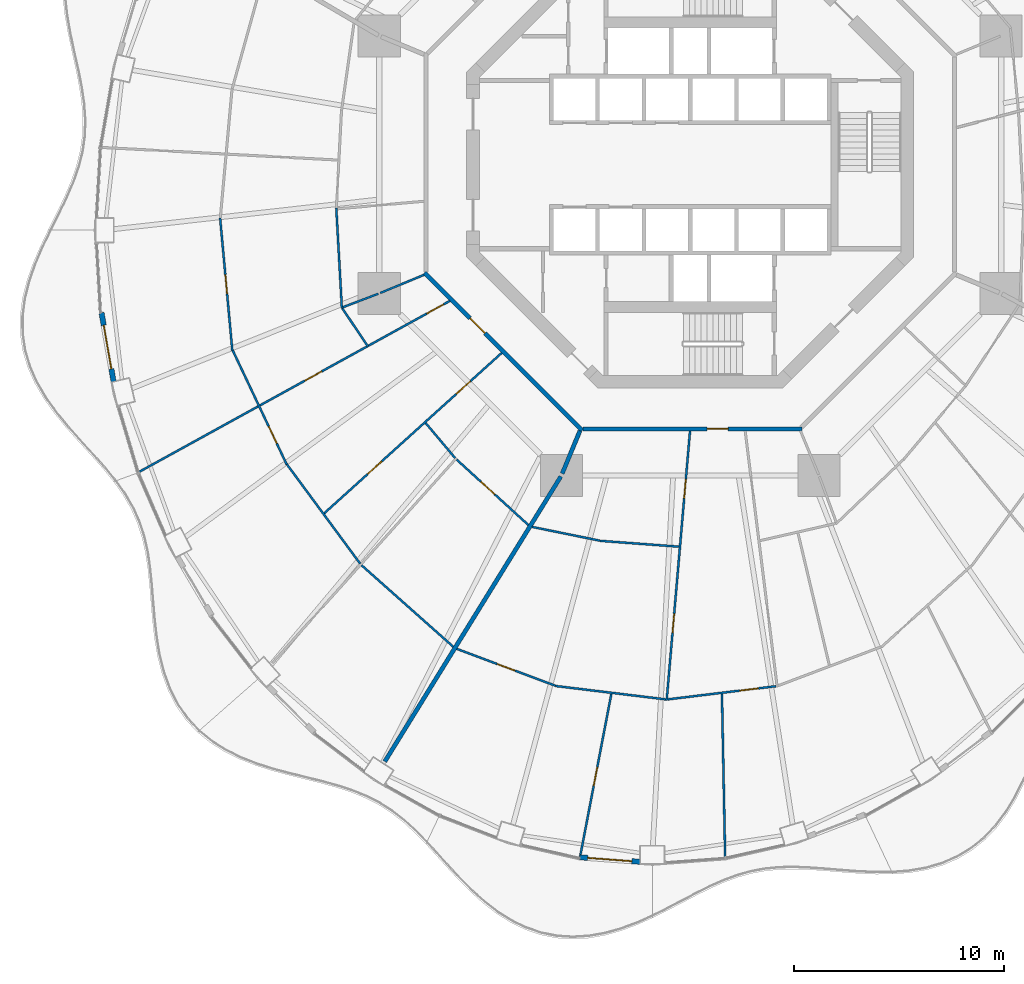
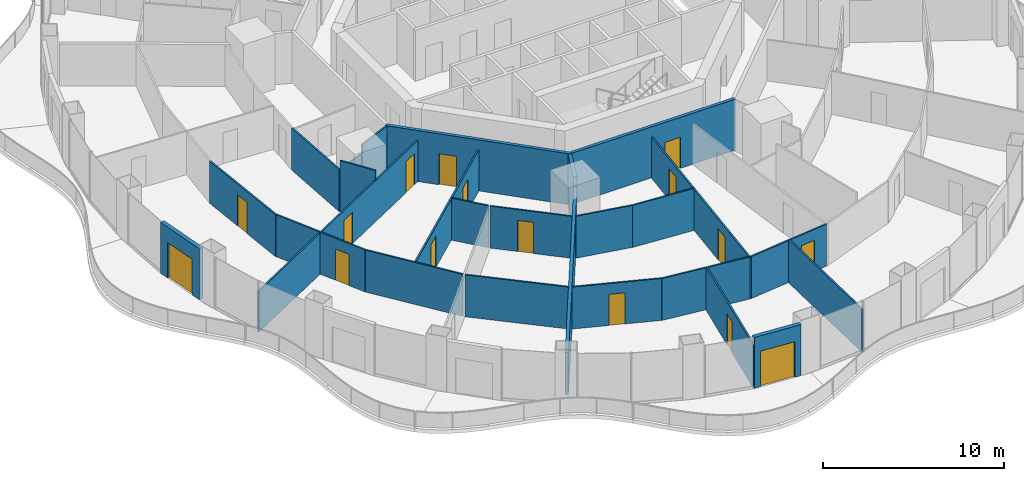
# One storey, part 12 of 20: 26 walls, 16 doors, 16 openings.
"""IFC4 building model written with IfcOpenShell, lengths in metres."""

from ifc_helpers import new_model, si_unit, direction, frame, frame_2d, origin, place, context, subcontext, project, spatial, rectangle, extrude, material, layer, layer_set, type_object, element, fill, save


model = new_model("IFC4")

# Units and contexts
model_context = context("Model", 3, precision=1e-05, world=origin(), true_north=direction((0.0, 1.0)))
body_context = subcontext(model_context, "Body", "Model", "MODEL_VIEW")
ifc_project = project(units=[si_unit("LENGTHUNIT", "METRE"), si_unit("AREAUNIT", "SQUARE_METRE"), si_unit("VOLUMEUNIT", "CUBIC_METRE"), si_unit("PLANEANGLEUNIT", "RADIAN"), si_unit("MASSUNIT", "GRAM", prefix="KILO")], contexts=[model_context])

# Site, building, storey
site_placement = place(None, origin())
site = spatial("IfcSite", under=ifc_project, at=site_placement, CompositionType="ELEMENT")
building_placement = place(site_placement, origin())
building = spatial("IfcBuilding", under=site, at=building_placement, Name="Nagisa Residences", CompositionType="ELEMENT")
storey_placement = place(building_placement, frame((0.0, 0.0, 141.800048828125)))
storey = spatial("IfcBuildingStorey", under=building, at=storey_placement, Name="L35", CompositionType="ELEMENT", Elevation=141.800048828125)

# Walls
ifc_material_1 = material(Name="Gypsum board on steel studs", Category="steel")
ifc_layer_1 = layer(ifc_material_1, 0.199951171875)
ifc_layer_set_1 = layer_set([ifc_layer_1], Name="Apartment compartment wall EI60 200")
wall_type_1 = type_object("IfcWallType", Name="Apartment compartment wall EI60 200", PredefinedType="PARTITIONING", material=ifc_layer_set_1)
wall_1_placement = place(storey_placement, frame((-5.24267578125, -12.6572265625, 0.0), z_axis=(0.0, 0.0, 1.0), x_axis=(-0.382818775282, -0.923823460025, 0.0)))
element("IfcWall", 1, at=wall_1_placement, inside=storey, type_object=wall_type_1, Name="wall:L35:u04", PredefinedType="PARTITIONING", context=body_context, shape_type="SweptSolid", body=[
    extrude(rectangle(XDim=2.200927734375, YDim=0.199951171875, at=frame_2d((1.1005859375, 0.0))), origin(), (0.0, 0.0, 1.0), 3.43994140625),
])
wall_2_placement = place(storey_placement, frame((-6.149169921875, -14.82470703125, 0.0), z_axis=(0.0, 0.0, 1.0), x_axis=(-0.525406383516, -0.85085141603, 0.0)))
element("IfcWall", 2, at=wall_2_placement, inside=storey, type_object=wall_type_1, Name="wall:L35:u05", PredefinedType="PARTITIONING", context=body_context, shape_type="SweptSolid", body=[
    extrude(rectangle(XDim=15.9248046875, YDim=0.199951171875, at=frame_2d((7.96240234375, 0.0))), origin(), (0.0, 0.0, 1.0), 2.827880859375),
])

# Wall, opening, door
ifc_material_2 = material(Name="Gypsum board on steel studs", Category="steel")
ifc_layer_2 = layer(ifc_material_2, 0.199951171875)
ifc_layer_set_2 = layer_set([ifc_layer_2], Name="Apartment entry wall EI60 200")
wall_type_2 = type_object("IfcWallType", Name="Apartment entry wall EI60 200", PredefinedType="PARTITIONING", material=ifc_layer_set_2)
wall_3_placement = place(storey_placement, frame((-12.635498046875, -5.1337890625, 0.0), z_axis=(0.0, 0.0, 1.0), x_axis=(0.707106781187, -0.707106781187, 0.0)))
wall_3 = element("IfcWall", 3, at=wall_3_placement, inside=storey, type_object=wall_type_2, Name="wall:L35:u13", PredefinedType="PARTITIONING", context=body_context, shape_type="SweptSolid", body=[
    extrude(rectangle(XDim=10.609130859375, YDim=0.199951171875, at=frame_2d((5.3046875, 0.0))), origin(), (0.0, 0.0, 1.0), 3.43994140625),
])
opening_1_placement = place(wall_3_placement, frame((3.069580078125, 0.0, 0.0)))
opening_1 = element("IfcOpeningElement", 4, at=opening_1_placement, cuts=wall_3, Name="Opening L35-U01", PredefinedType="OPENING", context=body_context, shape_type="SweptSolid", body=[
    extrude(rectangle(XDim=1.0, YDim=2.10009765625, at=frame_2d((0.5, 1.050048828125))), frame((0.0, 0.10986328125, 0.0), z_axis=(0.0, -1.0, 0.0), x_axis=(1.0, 0.0, 0.0)), (0.0, 0.0, 1.0), 0.219970703125),
])
ifc_material_3 = material(Name="Timber fire door set", Category="wood")
door_type_1 = type_object("IfcDoorType", Name="Apartment entry door FD30S 1000x2100", OperationType="NOTDEFINED", PredefinedType="DOOR", material=ifc_material_3)
door_1_placement = place(opening_1_placement, frame((1.0, 0.0, 0.0), x_axis=(-1.0, 0.0, 0.0)))
door_1 = element("IfcDoor", 5, at=door_1_placement, inside=storey, type_object=door_type_1, Name="Entry door, Apartment 35A", OperationType="SINGLE_SWING_RIGHT", OverallHeight=2.10009765625, OverallWidth=1.0, PredefinedType="DOOR", context=body_context, shape_type="SweptSolid", body=[
    extrude(rectangle(XDim=1.0, YDim=2.10009765625, at=frame_2d((0.5, 1.050048828125))), frame((0.0, 0.02490234375, 0.0), z_axis=(0.0, -1.0, 0.0), x_axis=(1.0, 0.0, 0.0)), (0.0, 0.0, 1.0), 0.050048828125),
])
fill(opening_1, door_1)

wall_4_placement = place(storey_placement, frame((-5.1044921875, -12.564697265625, 0.0), z_axis=(0.0, 0.0, 1.0), x_axis=(1.0, 0.0, 0.0)))
wall_4 = element("IfcWall", 6, at=wall_4_placement, inside=storey, type_object=wall_type_2, Name="wall:L35:u14", PredefinedType="PARTITIONING", context=body_context, shape_type="SweptSolid", body=[
    extrude(rectangle(XDim=10.408935546875, YDim=0.199951171875, at=frame_2d((5.20458984375, 0.0))), origin(), (0.0, 0.0, 1.0), 3.43994140625),
])
opening_2_placement = place(wall_4_placement, frame((5.905517578125, 0.0, 0.0)))
opening_2 = element("IfcOpeningElement", 7, at=opening_2_placement, cuts=wall_4, Name="Opening L35-U14", PredefinedType="OPENING", context=body_context, shape_type="SweptSolid", body=[
    extrude(rectangle(XDim=1.0, YDim=2.10009765625, at=frame_2d((0.5, 1.050048828125))), frame((0.0, 0.10986328125, 0.0), z_axis=(0.0, -1.0, 0.0), x_axis=(1.0, 0.0, 0.0)), (0.0, 0.0, 1.0), 0.219970703125),
])
door_2_placement = place(opening_2_placement, frame((1.0, 0.0, 0.0), x_axis=(-1.0, 0.0, 0.0)))
door_2 = element("IfcDoor", 8, at=door_2_placement, inside=storey, type_object=door_type_1, Name="Entry door, Apartment 35B", OperationType="SINGLE_SWING_LEFT", OverallHeight=2.10009765625, OverallWidth=1.0, PredefinedType="DOOR", context=body_context, shape_type="SweptSolid", body=[
    extrude(rectangle(XDim=1.0, YDim=2.10009765625, at=frame_2d((0.5, 1.050048828125))), frame((0.0, 0.02490234375, 0.0), z_axis=(0.0, -1.0, 0.0), x_axis=(1.0, 0.0, 0.0)), (0.0, 0.0, 1.0), 0.050048828125),
])
fill(opening_2, door_2)

# Wall
ifc_material_4 = material(Name="Gypsum board on steel studs", Category="steel")
ifc_layer_3 = layer(ifc_material_4, 0.10009765625)
ifc_layer_set_3 = layer_set([ifc_layer_3], Name="Apartment partition 100")
wall_type_3 = type_object("IfcWallType", Name="Apartment partition 100", PredefinedType="PARTITIONING", material=ifc_layer_set_3)
wall_5_placement = place(storey_placement, frame((-16.825439453125, -2.058349609375, 0.0), z_axis=(0.0, 0.0, 1.0), x_axis=(0.055971643802, -0.998432358796, 0.0)))
element("IfcWall", 9, at=wall_5_placement, inside=storey, type_object=wall_type_3, Name="wall:L35:u56", PredefinedType="PARTITIONING", context=body_context, shape_type="SweptSolid", body=[
    extrude(rectangle(XDim=4.798095703125, YDim=0.10009765625, at=frame_2d((2.39892578125, 0.0))), origin(), (0.0, 0.0, 1.0), 2.827880859375),
])

# Wall, opening, door
wall_6_placement = place(storey_placement, frame((-22.346923828125, -2.54248046875, 0.0), z_axis=(0.0, 0.0, 1.0), x_axis=(0.091783634244, -0.995778973711, 0.0)))
wall_6 = element("IfcWall", 10, at=wall_6_placement, inside=storey, type_object=wall_type_3, Name="wall:L35:u57", PredefinedType="PARTITIONING", context=body_context, shape_type="SweptSolid", body=[
    extrude(rectangle(XDim=6.314697265625, YDim=0.10009765625, at=frame_2d((3.1572265625, 0.0))), origin(), (0.0, 0.0, 1.0), 2.827880859375),
])
opening_3_placement = place(wall_6_placement, frame((2.70751953125, 0.0, 0.0)))
opening_3 = element("IfcOpeningElement", 11, at=opening_3_placement, cuts=wall_6, Name="Opening L35-U07", PredefinedType="OPENING", context=body_context, shape_type="SweptSolid", body=[
    extrude(rectangle(XDim=0.89990234375, YDim=2.10009765625, at=frame_2d((0.449951171875, 1.050048828125))), frame((0.0, 0.06005859375, 0.0), z_axis=(0.0, -1.0, 0.0), x_axis=(1.0, 0.0, 0.0)), (0.0, 0.0, 1.0), 0.1201171875),
])
ifc_material_5 = material(Name="Timber door set", Category="wood")
door_type_2 = type_object("IfcDoorType", Name="Apartment door 900x2100", OperationType="NOTDEFINED", PredefinedType="DOOR", material=ifc_material_5)
door_3_placement = place(opening_3_placement, frame((0.89990234375, 0.0, 0.0), x_axis=(-1.0, 0.0, 0.0)))
door_3 = element("IfcDoor", 12, at=door_3_placement, inside=storey, type_object=door_type_2, Name="Door to family room, Apartment 35A", OperationType="SINGLE_SWING_RIGHT", OverallHeight=2.10009765625, OverallWidth=0.89990234375, PredefinedType="DOOR", context=body_context, shape_type="SweptSolid", body=[
    extrude(rectangle(XDim=0.89990234375, YDim=2.10009765625, at=frame_2d((0.449951171875, 1.050048828125))), frame((0.0, 0.02490234375, 0.0), z_axis=(0.0, -1.0, 0.0), x_axis=(1.0, 0.0, 0.0)), (0.0, 0.0, 1.0), 0.050048828125),
])
fill(opening_3, door_3)

# Walls
wall_7_placement = place(storey_placement, frame((-12.6572265625, -5.24267578125, 0.0), z_axis=(0.0, 0.0, 1.0), x_axis=(-0.923864733477, -0.382719158442, 0.0)))
element("IfcWall", 13, at=wall_7_placement, inside=storey, type_object=wall_type_3, Name="wall:L35:u58", PredefinedType="PARTITIONING", context=body_context, shape_type="SweptSolid", body=[
    extrude(rectangle(XDim=2.25, YDim=0.10009765625, at=frame_2d((1.125, 0.0))), origin(), (0.0, 0.0, 1.0), 3.43994140625),
])
wall_8_placement = place(storey_placement, frame((-14.828857421875, -6.140625, 0.0), z_axis=(0.0, 0.0, 1.0), x_axis=(-0.934704367514, -0.355426146128, 0.0)))
element("IfcWall", 14, at=wall_8_placement, inside=storey, type_object=wall_type_3, Name="wall:L35:u59", PredefinedType="PARTITIONING", context=body_context, shape_type="SweptSolid", body=[
    extrude(rectangle(XDim=1.8017578125, YDim=0.10009765625, at=frame_2d((0.90087890625, 0.0))), origin(), (0.0, 0.0, 1.0), 2.827880859375),
])
wall_9_placement = place(storey_placement, frame((-16.53173828125, -6.84033203125, 0.0), z_axis=(0.0, 0.0, 1.0), x_axis=(0.556994773624, -0.830515997531, 0.0)))
element("IfcWall", 15, at=wall_9_placement, inside=storey, type_object=wall_type_3, Name="wall:L35:u60", PredefinedType="PARTITIONING", context=body_context, shape_type="SweptSolid", body=[
    extrude(rectangle(XDim=2.183349609375, YDim=0.10009765625, at=frame_2d((1.091796875, 0.0))), origin(), (0.0, 0.0, 1.0), 3.43994140625),
])

# Wall, opening, door
wall_10_placement = place(storey_placement, frame((-21.75048828125, -8.826171875, 0.0), z_axis=(0.0, 0.0, 1.0), x_axis=(0.427736419988, -0.903903509793, 0.0)))
wall_10 = element("IfcWall", 16, at=wall_10_placement, inside=storey, type_object=wall_type_3, Name="wall:L35:u61", PredefinedType="PARTITIONING", context=body_context, shape_type="SweptSolid", body=[
    extrude(rectangle(XDim=5.998779296875, YDim=0.10009765625, at=frame_2d((2.99951171875, 0.0))), origin(), (0.0, 0.0, 1.0), 2.827880859375),
])
opening_4_placement = place(wall_10_placement, frame((3.999267578125, 0.0, 0.0)))
opening_4 = element("IfcOpeningElement", 17, at=opening_4_placement, cuts=wall_10, Name="Opening L35-U08", PredefinedType="OPENING", context=body_context, shape_type="SweptSolid", body=[
    extrude(rectangle(XDim=0.89990234375, YDim=2.10009765625, at=frame_2d((0.449951171875, 1.050048828125))), frame((0.0, 0.06005859375, 0.0), z_axis=(0.0, -1.0, 0.0), x_axis=(1.0, 0.0, 0.0)), (0.0, 0.0, 1.0), 0.1201171875),
])
door_4_placement = place(opening_4_placement, frame((0.89990234375, 0.0, 0.0), x_axis=(-1.0, 0.0, 0.0)))
door_4 = element("IfcDoor", 18, at=door_4_placement, inside=storey, type_object=door_type_2, Name="Door to living room, Apartment 35A", OperationType="SINGLE_SWING_LEFT", OverallHeight=2.10009765625, OverallWidth=0.89990234375, PredefinedType="DOOR", context=body_context, shape_type="SweptSolid", body=[
    extrude(rectangle(XDim=0.89990234375, YDim=2.10009765625, at=frame_2d((0.449951171875, 1.050048828125))), frame((0.0, 0.02490234375, 0.0), z_axis=(0.0, -1.0, 0.0), x_axis=(1.0, 0.0, 0.0)), (0.0, 0.0, 1.0), 0.050048828125),
])
fill(opening_4, door_4)

# Wall, openings, doors
wall_11_placement = place(storey_placement, frame((-11.42578125, -6.4794921875, 0.0), z_axis=(0.0, 0.0, 1.0), x_axis=(-0.876110392495, -0.482110547657, 0.0)))
wall_11 = element("IfcWall", 19, at=wall_11_placement, inside=storey, type_object=wall_type_3, Name="wall:L35:u62", PredefinedType="PARTITIONING", context=body_context, shape_type="SweptSolid", body=[
    extrude(rectangle(XDim=16.954833984375, YDim=0.10009765625, at=frame_2d((8.4775390625, 0.0))), origin(), (0.0, 0.0, 1.0), 2.755859375),
])
opening_5_placement = place(wall_11_placement, frame((0.35009765625, 0.0, 0.0)))
opening_5 = element("IfcOpeningElement", 20, at=opening_5_placement, cuts=wall_11, Name="Opening L35-U02", PredefinedType="OPENING", context=body_context, shape_type="SweptSolid", body=[
    extrude(rectangle(XDim=0.89990234375, YDim=2.10009765625, at=frame_2d((0.449951171875, 1.050048828125))), frame((0.0, 0.06005859375, 0.0), z_axis=(0.0, -1.0, 0.0), x_axis=(1.0, 0.0, 0.0)), (0.0, 0.0, 1.0), 0.1201171875),
])
opening_6_placement = place(wall_11_placement, frame((6.956787109375, 0.0, 0.0)))
opening_6 = element("IfcOpeningElement", 21, at=opening_6_placement, cuts=wall_11, Name="Opening L35-U04", PredefinedType="OPENING", context=body_context, shape_type="SweptSolid", body=[
    extrude(rectangle(XDim=0.89990234375, YDim=2.10009765625, at=frame_2d((0.449951171875, 1.050048828125))), frame((0.0, 0.06005859375, 0.0), z_axis=(0.0, -1.0, 0.0), x_axis=(1.0, 0.0, 0.0)), (0.0, 0.0, 1.0), 0.1201171875),
])
door_5_placement = place(opening_5_placement, frame((0.89990234375, 0.0, 0.0), x_axis=(-1.0, 0.0, 0.0)))
door_5 = element("IfcDoor", 22, at=door_5_placement, inside=storey, type_object=door_type_2, Name="Door to family bathroom, Apartment 35A", OperationType="SINGLE_SWING_LEFT", OverallHeight=2.10009765625, OverallWidth=0.89990234375, PredefinedType="DOOR", context=body_context, shape_type="SweptSolid", body=[
    extrude(rectangle(XDim=0.89990234375, YDim=2.10009765625, at=frame_2d((0.449951171875, 1.050048828125))), frame((0.0, 0.02490234375, 0.0), z_axis=(0.0, -1.0, 0.0), x_axis=(1.0, 0.0, 0.0)), (0.0, 0.0, 1.0), 0.050048828125),
])
fill(opening_5, door_5)
door_6_placement = place(opening_6_placement, frame((0.89990234375, 0.0, 0.0), x_axis=(-1.0, 0.0, 0.0)))
door_6 = element("IfcDoor", 23, at=door_6_placement, inside=storey, type_object=door_type_2, Name="Door to dining room, Apartment 35A", OperationType="SINGLE_SWING_LEFT", OverallHeight=2.10009765625, OverallWidth=0.89990234375, PredefinedType="DOOR", context=body_context, shape_type="SweptSolid", body=[
    extrude(rectangle(XDim=0.89990234375, YDim=2.10009765625, at=frame_2d((0.449951171875, 1.050048828125))), frame((0.0, 0.02490234375, 0.0), z_axis=(0.0, -1.0, 0.0), x_axis=(1.0, 0.0, 0.0)), (0.0, 0.0, 1.0), 0.050048828125),
])
fill(opening_6, door_6)

# Wall
wall_12_placement = place(storey_placement, frame((-19.17626953125, -14.24365234375, 0.0), z_axis=(0.0, 0.0, 1.0), x_axis=(0.593532053206, -0.80481035146, 0.0)))
element("IfcWall", 24, at=wall_12_placement, inside=storey, type_object=wall_type_3, Name="wall:L35:u63", PredefinedType="PARTITIONING", context=body_context, shape_type="SweptSolid", body=[
    extrude(rectangle(XDim=5.8759765625, YDim=0.10009765625, at=frame_2d((2.93798828125, 0.0))), origin(), (0.0, 0.0, 1.0), 2.827880859375),
])

# Wall, openings, doors
wall_13_placement = place(storey_placement, frame((-8.958740234375, -8.95166015625, 0.0), z_axis=(0.0, 0.0, 1.0), x_axis=(-0.741982736283, -0.670418987692, 0.0)))
wall_13 = element("IfcWall", 25, at=wall_13_placement, inside=storey, type_object=wall_type_3, Name="wall:L35:u64", PredefinedType="PARTITIONING", context=body_context, shape_type="SweptSolid", body=[
    extrude(rectangle(XDim=11.37060546875, YDim=0.10009765625, at=frame_2d((5.685302734375, 0.0))), origin(), (0.0, 0.0, 1.0), 2.755859375),
])
opening_7_placement = place(wall_13_placement, frame((2.008544921875, 0.0, 0.0)))
opening_7 = element("IfcOpeningElement", 26, at=opening_7_placement, cuts=wall_13, Name="Opening L35-U03", PredefinedType="OPENING", context=body_context, shape_type="SweptSolid", body=[
    extrude(rectangle(XDim=0.89990234375, YDim=2.10009765625, at=frame_2d((0.449951171875, 1.050048828125))), frame((0.0, 0.06005859375, 0.0), z_axis=(0.0, -1.0, 0.0), x_axis=(1.0, 0.0, 0.0)), (0.0, 0.0, 1.0), 0.1201171875),
])
opening_8_placement = place(wall_13_placement, frame((7.693603515625, 0.0, 0.0)))
opening_8 = element("IfcOpeningElement", 27, at=opening_8_placement, cuts=wall_13, Name="Opening L35-U05", PredefinedType="OPENING", context=body_context, shape_type="SweptSolid", body=[
    extrude(rectangle(XDim=0.89990234375, YDim=2.10009765625, at=frame_2d((0.449951171875, 1.050048828125))), frame((0.0, 0.06005859375, 0.0), z_axis=(0.0, -1.0, 0.0), x_axis=(1.0, 0.0, 0.0)), (0.0, 0.0, 1.0), 0.1201171875),
])
door_7_placement = place(opening_7_placement, origin())
door_7 = element("IfcDoor", 28, at=door_7_placement, inside=storey, type_object=door_type_2, Name="Door to laundry, Apartment 35A", OperationType="SINGLE_SWING_LEFT", OverallHeight=2.10009765625, OverallWidth=0.89990234375, PredefinedType="DOOR", context=body_context, shape_type="SweptSolid", body=[
    extrude(rectangle(XDim=0.89990234375, YDim=2.10009765625, at=frame_2d((0.449951171875, 1.050048828125))), frame((0.0, 0.02490234375, 0.0), z_axis=(0.0, -1.0, 0.0), x_axis=(1.0, 0.0, 0.0)), (0.0, 0.0, 1.0), 0.050048828125),
])
fill(opening_7, door_7)
door_8_placement = place(opening_8_placement, origin())
door_8 = element("IfcDoor", 29, at=door_8_placement, inside=storey, type_object=door_type_2, Name="Door to family bathroom, Apartment 35A", OperationType="SINGLE_SWING_LEFT", OverallHeight=2.10009765625, OverallWidth=0.89990234375, PredefinedType="DOOR", context=body_context, shape_type="SweptSolid", body=[
    extrude(rectangle(XDim=0.89990234375, YDim=2.10009765625, at=frame_2d((0.449951171875, 1.050048828125))), frame((0.0, 0.02490234375, 0.0), z_axis=(0.0, -1.0, 0.0), x_axis=(1.0, 0.0, 0.0)), (0.0, 0.0, 1.0), 0.050048828125),
])
fill(opening_8, door_8)

# Wall
wall_14_placement = place(storey_placement, frame((-12.574951171875, -12.286376953125, 0.0), z_axis=(0.0, 0.0, 1.0), x_axis=(0.644052758448, -0.764981074495, 0.0)))
element("IfcWall", 30, at=wall_14_placement, inside=storey, type_object=wall_type_3, Name="wall:L35:u65", PredefinedType="PARTITIONING", context=body_context, shape_type="SweptSolid", body=[
    extrude(rectangle(XDim=2.17431640625, YDim=0.10009765625, at=frame_2d((1.087158203125, 0.0))), origin(), (0.0, 0.0, 1.0), 2.827880859375),
])

# Wall, opening, door
wall_15_placement = place(storey_placement, frame((-11.10546875, -14.021484375, 0.0), z_axis=(0.0, 0.0, 1.0), x_axis=(0.738880014758, -0.673837015747, 0.0)))
wall_15 = element("IfcWall", 31, at=wall_15_placement, inside=storey, type_object=wall_type_3, Name="wall:L35:u67", PredefinedType="PARTITIONING", context=body_context, shape_type="SweptSolid", body=[
    extrude(rectangle(XDim=4.62060546875, YDim=0.10009765625, at=frame_2d((2.310302734375, 0.0))), origin(), (0.0, 0.0, 1.0), 2.827880859375),
])
opening_9_placement = place(wall_15_placement, frame((1.55810546875, 0.0, 0.0)))
opening_9 = element("IfcOpeningElement", 32, at=opening_9_placement, cuts=wall_15, Name="Opening L35-U06", PredefinedType="OPENING", context=body_context, shape_type="SweptSolid", body=[
    extrude(rectangle(XDim=0.89990234375, YDim=2.10009765625, at=frame_2d((0.449951171875, 1.050048828125))), frame((0.0, 0.06005859375, 0.0), z_axis=(0.0, -1.0, 0.0), x_axis=(1.0, 0.0, 0.0)), (0.0, 0.0, 1.0), 0.1201171875),
])
door_9_placement = place(opening_9_placement, frame((0.89990234375, 0.0, 0.0), x_axis=(-1.0, 0.0, 0.0)))
door_9 = element("IfcDoor", 33, at=door_9_placement, inside=storey, type_object=door_type_2, Name="Door to dining room, Apartment 35A", OperationType="SINGLE_SWING_LEFT", OverallHeight=2.10009765625, OverallWidth=0.89990234375, PredefinedType="DOOR", context=body_context, shape_type="SweptSolid", body=[
    extrude(rectangle(XDim=0.89990234375, YDim=2.10009765625, at=frame_2d((0.449951171875, 1.050048828125))), frame((0.0, 0.02490234375, 0.0), z_axis=(0.0, -1.0, 0.0), x_axis=(1.0, 0.0, 0.0)), (0.0, 0.0, 1.0), 0.050048828125),
])
fill(opening_9, door_9)

# Walls
wall_16_placement = place(storey_placement, frame((-15.621826171875, -19.046142578125, 0.0), z_axis=(0.0, 0.0, 1.0), x_axis=(0.747342322463, -0.664439201925, 0.0)))
element("IfcWall", 34, at=wall_16_placement, inside=storey, type_object=wall_type_3, Name="wall:L35:u68", PredefinedType="PARTITIONING", context=body_context, shape_type="SweptSolid", body=[
    extrude(rectangle(XDim=5.830810546875, YDim=0.10009765625, at=frame_2d((2.91552734375, 0.0))), origin(), (0.0, 0.0, 1.0), 2.827880859375),
])
wall_17_placement = place(storey_placement, frame((-7.51953125, -17.222412109375, 0.0), z_axis=(0.0, 0.0, 1.0), x_axis=(0.979972193175, -0.199134378255, 0.0)))
element("IfcWall", 35, at=wall_17_placement, inside=storey, type_object=wall_type_3, Name="wall:L35:u69", PredefinedType="PARTITIONING", context=body_context, shape_type="SweptSolid", body=[
    extrude(rectangle(XDim=3.296630859375, YDim=0.10009765625, at=frame_2d((1.6484375, 0.0))), origin(), (0.0, 0.0, 1.0), 2.827880859375),
])

# Wall, opening, door
wall_18_placement = place(storey_placement, frame((-11.095703125, -23.02197265625, 0.0), z_axis=(0.0, 0.0, 1.0), x_axis=(0.936725688471, -0.350064257758, 0.0)))
wall_18 = element("IfcWall", 36, at=wall_18_placement, inside=storey, type_object=wall_type_3, Name="wall:L35:u70", PredefinedType="PARTITIONING", context=body_context, shape_type="SweptSolid", body=[
    extrude(rectangle(XDim=5.002685546875, YDim=0.10009765625, at=frame_2d((2.50146484375, 0.0))), origin(), (0.0, 0.0, 1.0), 2.827880859375),
])
opening_10_placement = place(wall_18_placement, frame((2.05126953125, 0.0, 0.0)))
opening_10 = element("IfcOpeningElement", 37, at=opening_10_placement, cuts=wall_18, Name="Opening L35-U19", PredefinedType="OPENING", context=body_context, shape_type="SweptSolid", body=[
    extrude(rectangle(XDim=0.89990234375, YDim=2.10009765625, at=frame_2d((0.449951171875, 1.050048828125))), frame((0.0, 0.06005859375, 0.0), z_axis=(0.0, -1.0, 0.0), x_axis=(1.0, 0.0, 0.0)), (0.0, 0.0, 1.0), 0.1201171875),
])
door_10_placement = place(opening_10_placement, frame((0.89990234375, 0.0, 0.0), x_axis=(-1.0, 0.0, 0.0)))
door_10 = element("IfcDoor", 38, at=door_10_placement, inside=storey, type_object=door_type_2, Name="Door to dining room, Apartment 35B", OperationType="SINGLE_SWING_RIGHT", OverallHeight=2.10009765625, OverallWidth=0.89990234375, PredefinedType="DOOR", context=body_context, shape_type="SweptSolid", body=[
    extrude(rectangle(XDim=0.89990234375, YDim=2.10009765625, at=frame_2d((0.449951171875, 1.050048828125))), frame((0.0, 0.02490234375, 0.0), z_axis=(0.0, -1.0, 0.0), x_axis=(1.0, 0.0, 0.0)), (0.0, 0.0, 1.0), 0.050048828125),
])
fill(opening_10, door_10)

# Walls
wall_19_placement = place(storey_placement, frame((-4.289794921875, -17.88525390625, 0.0), z_axis=(0.0, 0.0, 1.0), x_axis=(0.997272353708, -0.073809569363, 0.0)))
element("IfcWall", 39, at=wall_19_placement, inside=storey, type_object=wall_type_3, Name="wall:L35:u71", PredefinedType="PARTITIONING", context=body_context, shape_type="SweptSolid", body=[
    extrude(rectangle(XDim=3.76416015625, YDim=0.10009765625, at=frame_2d((1.882080078125, 0.0))), origin(), (0.0, 0.0, 1.0), 2.827880859375),
])
wall_20_placement = place(storey_placement, frame((-6.41259765625, -24.784423828125, 0.0), z_axis=(0.0, 0.0, 1.0), x_axis=(0.992690077723, -0.120691381588, 0.0)))
element("IfcWall", 40, at=wall_20_placement, inside=storey, type_object=wall_type_3, Name="wall:L35:u72", PredefinedType="PARTITIONING", context=body_context, shape_type="SweptSolid", body=[
    extrude(rectangle(XDim=5.28564453125, YDim=0.10009765625, at=frame_2d((2.642822265625, 0.0))), origin(), (0.0, 0.0, 1.0), 2.827880859375),
])

# Wall, opening, door
wall_21_placement = place(storey_placement, frame((-3.748779296875, -25.15869140625, 0.0), z_axis=(0.0, 0.0, 1.0), x_axis=(-0.188392334675, -0.982093848996, 0.0)))
wall_21 = element("IfcWall", 41, at=wall_21_placement, inside=storey, type_object=wall_type_3, Name="wall:L35:u73", PredefinedType="PARTITIONING", context=body_context, shape_type="SweptSolid", body=[
    extrude(rectangle(XDim=7.999755859375, YDim=0.10009765625, at=frame_2d((4.0, 0.0))), origin(), (0.0, 0.0, 1.0), 2.905029296875),
])
opening_11_placement = place(wall_21_placement, frame((3.5498046875, 0.0, 0.0)))
opening_11 = element("IfcOpeningElement", 42, at=opening_11_placement, cuts=wall_21, Name="Opening L35-U20", PredefinedType="OPENING", context=body_context, shape_type="SweptSolid", body=[
    extrude(rectangle(XDim=0.89990234375, YDim=2.10009765625, at=frame_2d((0.449951171875, 1.050048828125))), frame((0.0, 0.06005859375, 0.0), z_axis=(0.0, -1.0, 0.0), x_axis=(1.0, 0.0, 0.0)), (0.0, 0.0, 1.0), 0.1201171875),
])
door_11_placement = place(opening_11_placement, origin())
door_11 = element("IfcDoor", 43, at=door_11_placement, inside=storey, type_object=door_type_2, Name="Door to master bedroom, Apartment 35B", OperationType="SINGLE_SWING_RIGHT", OverallHeight=2.10009765625, OverallWidth=0.89990234375, PredefinedType="DOOR", context=body_context, shape_type="SweptSolid", body=[
    extrude(rectangle(XDim=0.89990234375, YDim=2.10009765625, at=frame_2d((0.449951171875, 1.050048828125))), frame((0.0, 0.02490234375, 0.0), z_axis=(0.0, -1.0, 0.0), x_axis=(1.0, 0.0, 0.0)), (0.0, 0.0, 1.0), 0.050048828125),
])
fill(opening_11, door_11)

# Wall, openings, doors
wall_22_placement = place(storey_placement, frame((-0.008544921875, -12.664306640625, 0.0), z_axis=(0.0, 0.0, 1.0), x_axis=(-0.086441225464, -0.996256952066, 0.0)))
wall_22 = element("IfcWall", 44, at=wall_22_placement, inside=storey, type_object=wall_type_3, Name="wall:L35:u74", PredefinedType="PARTITIONING", context=body_context, shape_type="SweptSolid", body=[
    extrude(rectangle(XDim=12.862060546875, YDim=0.10009765625, at=frame_2d((6.43115234375, 0.0))), origin(), (0.0, 0.0, 1.0), 2.755859375),
])
opening_12_placement = place(wall_22_placement, frame((2.3115234375, 0.0, 0.0)))
opening_12 = element("IfcOpeningElement", 45, at=opening_12_placement, cuts=wall_22, Name="Opening L35-U15", PredefinedType="OPENING", context=body_context, shape_type="SweptSolid", body=[
    extrude(rectangle(XDim=0.89990234375, YDim=2.10009765625, at=frame_2d((0.449951171875, 1.050048828125))), frame((0.0, 0.06005859375, 0.0), z_axis=(0.0, -1.0, 0.0), x_axis=(1.0, 0.0, 0.0)), (0.0, 0.0, 1.0), 0.1201171875),
])
opening_13_placement = place(wall_22_placement, frame((8.717529296875, 0.0, 0.0)))
opening_13 = element("IfcOpeningElement", 46, at=opening_13_placement, cuts=wall_22, Name="Opening L35-U17", PredefinedType="OPENING", context=body_context, shape_type="SweptSolid", body=[
    extrude(rectangle(XDim=0.89990234375, YDim=2.10009765625, at=frame_2d((0.449951171875, 1.050048828125))), frame((0.0, 0.06005859375, 0.0), z_axis=(0.0, -1.0, 0.0), x_axis=(1.0, 0.0, 0.0)), (0.0, 0.0, 1.0), 0.1201171875),
])
door_12_placement = place(opening_12_placement, frame((0.89990234375, 0.0, 0.0), x_axis=(-1.0, 0.0, 0.0)))
door_12 = element("IfcDoor", 47, at=door_12_placement, inside=storey, type_object=door_type_2, Name="Door to store, Apartment 35B", OperationType="SINGLE_SWING_RIGHT", OverallHeight=2.10009765625, OverallWidth=0.89990234375, PredefinedType="DOOR", context=body_context, shape_type="SweptSolid", body=[
    extrude(rectangle(XDim=0.89990234375, YDim=2.10009765625, at=frame_2d((0.449951171875, 1.050048828125))), frame((0.0, 0.02490234375, 0.0), z_axis=(0.0, -1.0, 0.0), x_axis=(1.0, 0.0, 0.0)), (0.0, 0.0, 1.0), 0.050048828125),
])
fill(opening_12, door_12)
door_13_placement = place(opening_13_placement, frame((0.89990234375, 0.0, 0.0), x_axis=(-1.0, 0.0, 0.0)))
door_13 = element("IfcDoor", 48, at=door_13_placement, inside=storey, type_object=door_type_2, Name="Door to dining room, Apartment 35B", OperationType="SINGLE_SWING_RIGHT", OverallHeight=2.10009765625, OverallWidth=0.89990234375, PredefinedType="DOOR", context=body_context, shape_type="SweptSolid", body=[
    extrude(rectangle(XDim=0.89990234375, YDim=2.10009765625, at=frame_2d((0.449951171875, 1.050048828125))), frame((0.0, 0.02490234375, 0.0), z_axis=(0.0, -1.0, 0.0), x_axis=(1.0, 0.0, 0.0)), (0.0, 0.0, 1.0), 0.050048828125),
])
fill(opening_13, door_13)

# Wall, opening, door
wall_23_placement = place(storey_placement, frame((-1.06640625, -25.42236328125, 0.0), z_axis=(0.0, 0.0, 1.0), x_axis=(0.992692993044, 0.120667400577, 0.0)))
wall_23 = element("IfcWall", 49, at=wall_23_placement, inside=storey, type_object=wall_type_3, Name="wall:L35:u75", PredefinedType="PARTITIONING", context=body_context, shape_type="SweptSolid", body=[
    extrude(rectangle(XDim=5.185546875, YDim=0.10009765625, at=frame_2d((2.5927734375, 0.0))), origin(), (0.0, 0.0, 1.0), 2.827880859375),
])
opening_14_placement = place(wall_23_placement, frame((3.439208984375, 0.0, 0.0)))
opening_14 = element("IfcOpeningElement", 50, at=opening_14_placement, cuts=wall_23, Name="Opening L35-U21", PredefinedType="OPENING", context=body_context, shape_type="SweptSolid", body=[
    extrude(rectangle(XDim=0.89990234375, YDim=2.10009765625, at=frame_2d((0.449951171875, 1.050048828125))), frame((0.0, 0.06005859375, 0.0), z_axis=(0.0, -1.0, 0.0), x_axis=(1.0, 0.0, 0.0)), (0.0, 0.0, 1.0), 0.1201171875),
])
door_14_placement = place(opening_14_placement, frame((0.89990234375, 0.0, 0.0), x_axis=(-1.0, 0.0, 0.0)))
door_14 = element("IfcDoor", 51, at=door_14_placement, inside=storey, type_object=door_type_2, Name="Door to living room, Apartment 35B", OperationType="SINGLE_SWING_RIGHT", OverallHeight=2.10009765625, OverallWidth=0.89990234375, PredefinedType="DOOR", context=body_context, shape_type="SweptSolid", body=[
    extrude(rectangle(XDim=0.89990234375, YDim=2.10009765625, at=frame_2d((0.449951171875, 1.050048828125))), frame((0.0, 0.02490234375, 0.0), z_axis=(0.0, -1.0, 0.0), x_axis=(1.0, 0.0, 0.0)), (0.0, 0.0, 1.0), 0.050048828125),
])
fill(opening_14, door_14)

# Wall
wall_24_placement = place(storey_placement, frame((1.50830078125, -25.159423828125, 0.0), z_axis=(0.0, 0.0, 1.0), x_axis=(0.019670464527, -0.999806517695, 0.0)))
element("IfcWall", 52, at=wall_24_placement, inside=storey, type_object=wall_type_3, Name="wall:L35:u76", PredefinedType="PARTITIONING", context=body_context, shape_type="SweptSolid", body=[
    extrude(rectangle(XDim=7.8564453125, YDim=0.10009765625, at=frame_2d((3.92822265625, 0.0))), origin(), (0.0, 0.0, 1.0), 2.905029296875),
])

# Wall, opening, door
ifc_material_6 = material(Name="Precast concrete C40/50", Category="concrete")
ifc_layer_4 = layer(ifc_material_6, 0.25)
ifc_layer_set_4 = layer_set([ifc_layer_4], Name="BALCONY DOOR WALL 250")
wall_type_4 = type_object("IfcWallType", Name="BALCONY DOOR WALL 250", PredefinedType="SOLIDWALL", material=ifc_layer_set_4)
wall_25_placement = place(storey_placement, frame((-27.4111328125, -10.320068359375, 0.0), z_axis=(0.0, 0.0, 1.0), x_axis=(-0.172163521006, 0.985068384446, 0.0)))
wall_25 = element("IfcWall", 53, at=wall_25_placement, inside=storey, type_object=wall_type_4, Name="wall:L35:bay25", PredefinedType="SOLIDWALL", context=body_context, shape_type="SweptSolid", body=[
    extrude(rectangle(XDim=3.33251953125, YDim=0.25, at=frame_2d((1.666259765625, 0.0))), origin(), (0.0, 0.0, 1.0), 3.43994140625),
])
opening_15_placement = place(wall_25_placement, frame((0.6162109375, 0.0, 0.0)))
opening_15 = element("IfcOpeningElement", 54, at=opening_15_placement, cuts=wall_25, Name="Opening BD-L35-09", PredefinedType="OPENING", context=body_context, shape_type="SweptSolid", body=[
    extrude(rectangle(XDim=2.10009765625, YDim=2.39990234375, at=frame_2d((1.050048828125, 1.199951171875))), frame((0.0, 0.135009765625, 0.0), z_axis=(0.0, -1.0, 0.0), x_axis=(1.0, 0.0, 0.0)), (0.0, 0.0, 1.0), 0.27001953125),
])
ifc_material_7 = material(Name="Aluminium and clear glass", Category="aluminium")
door_type_3 = type_object("IfcDoorType", Name="BALCONY SLIDING DOOR 2100x2400", OperationType="SLIDING_TO_LEFT", PredefinedType="DOOR", material=ifc_material_7)
door_15_placement = place(opening_15_placement, origin())
door_15 = element("IfcDoor", 55, at=door_15_placement, inside=storey, type_object=door_type_3, Name="door:L35:bay25", OperationType="SLIDING_TO_LEFT", OverallHeight=2.39990234375, OverallWidth=2.10009765625, PredefinedType="DOOR", context=body_context, shape_type="SweptSolid", body=[
    extrude(rectangle(XDim=2.10009765625, YDim=2.39990234375, at=frame_2d((1.050048828125, 1.199951171875))), frame((0.0, 0.02490234375, 0.0), z_axis=(0.0, -1.0, 0.0), x_axis=(1.0, 0.0, 0.0)), (0.0, 0.0, 1.0), 0.050048828125),
])
fill(opening_15, door_15)

wall_26_placement = place(storey_placement, frame((-2.38916015625, -33.143310546875, 0.0), z_axis=(0.0, 0.0, 1.0), x_axis=(-0.997231697044, 0.074356858535, 0.0)))
wall_26 = element("IfcWall", 56, at=wall_26_placement, inside=storey, type_object=wall_type_4, Name="wall:L35:bay35", PredefinedType="SOLIDWALL", context=body_context, shape_type="SweptSolid", body=[
    extrude(rectangle(XDim=2.873046875, YDim=0.25, at=frame_2d((1.4365234375, 0.0))), origin(), (0.0, 0.0, 1.0), 3.43994140625),
])
opening_16_placement = place(wall_26_placement, frame((0.386474609375, 0.0, 0.0)))
opening_16 = element("IfcOpeningElement", 57, at=opening_16_placement, cuts=wall_26, Name="Opening BD-L35-12", PredefinedType="OPENING", context=body_context, shape_type="SweptSolid", body=[
    extrude(rectangle(XDim=2.10009765625, YDim=2.39990234375, at=frame_2d((1.050048828125, 1.199951171875))), frame((0.0, 0.135009765625, 0.0), z_axis=(0.0, -1.0, 0.0), x_axis=(1.0, 0.0, 0.0)), (0.0, 0.0, 1.0), 0.27001953125),
])
door_16_placement = place(opening_16_placement, origin())
door_16 = element("IfcDoor", 58, at=door_16_placement, inside=storey, type_object=door_type_3, Name="door:L35:bay35", OperationType="SLIDING_TO_LEFT", OverallHeight=2.39990234375, OverallWidth=2.10009765625, PredefinedType="DOOR", context=body_context, shape_type="SweptSolid", body=[
    extrude(rectangle(XDim=2.10009765625, YDim=2.39990234375, at=frame_2d((1.050048828125, 1.199951171875))), frame((0.0, 0.02490234375, 0.0), z_axis=(0.0, -1.0, 0.0), x_axis=(1.0, 0.0, 0.0)), (0.0, 0.0, 1.0), 0.050048828125),
])
fill(opening_16, door_16)

save(model, "model.ifc")
